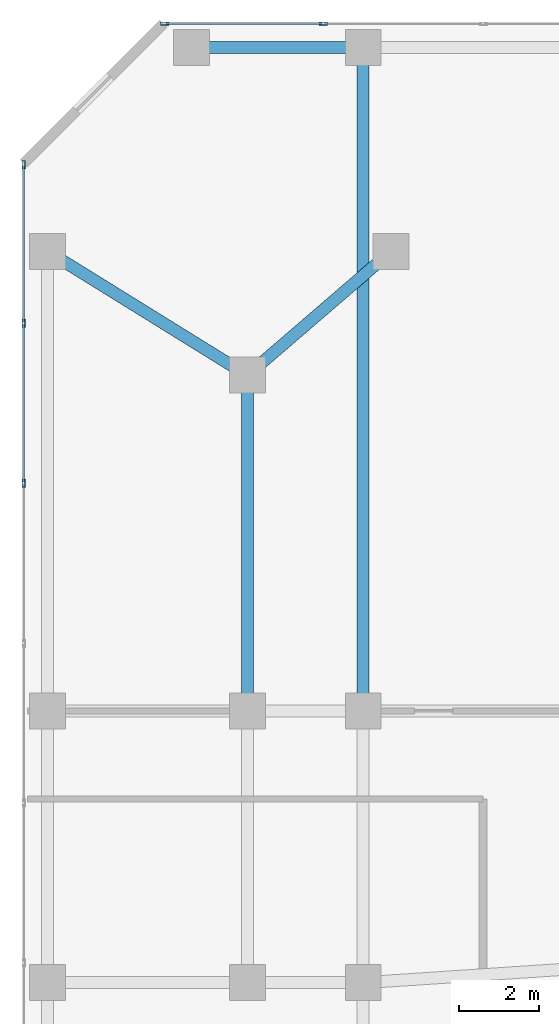
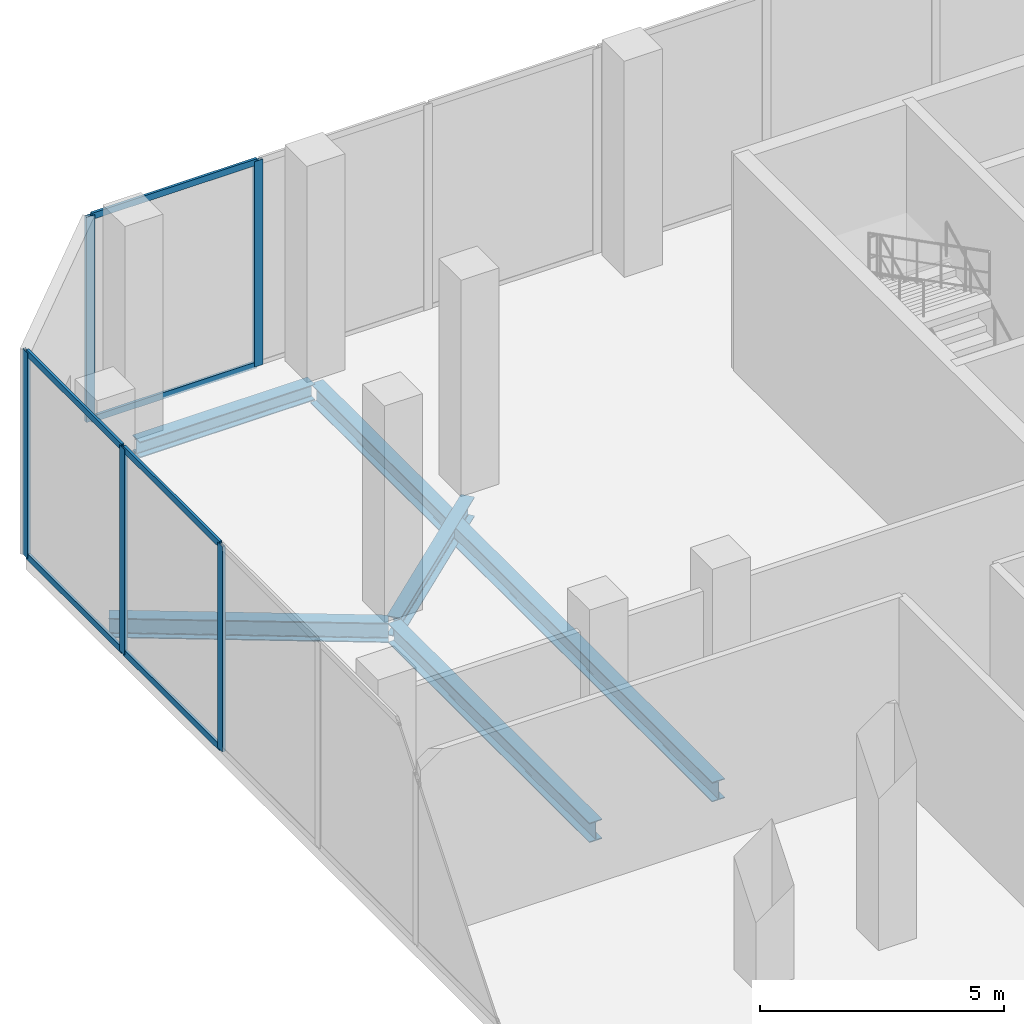
# One storey, part 13 of 24: 11 members, 5 beams, 2 elements without a shape of their own.
"""IFC4 building model written with IfcOpenShell, lengths in metres."""

from ifc_helpers import new_model, si_unit, direction, frame, origin, origin_2d, place, context, subcontext, project, spatial, hollow_rectangle, i_section, extrude, material, layer, layer_set, material_profile, profile_set, type_object, element, aggregate, save


model = new_model("IFC4")

# Units and contexts
model_context = context("Model", 3, precision=1e-05, world=origin(), true_north=direction((0.0, 1.0)))
body_context = subcontext(model_context, "Body", "Model", "MODEL_VIEW")
ifc_project = project(units=[si_unit("LENGTHUNIT", "METRE"), si_unit("AREAUNIT", "SQUARE_METRE"), si_unit("VOLUMEUNIT", "CUBIC_METRE"), si_unit("PLANEANGLEUNIT", "RADIAN"), si_unit("MASSUNIT", "GRAM", prefix="KILO")], contexts=[model_context])

# Site, building, storey
site_placement = place(None, origin())
site = spatial("IfcSite", under=ifc_project, at=site_placement, CompositionType="ELEMENT")
building_placement = place(site_placement, origin())
building = spatial("IfcBuilding", under=site, at=building_placement, Name="Catumbela Crestline Tower", CompositionType="ELEMENT")
storey_placement = place(building_placement, frame((0.0, 0.0, 84.6)))
storey = spatial("IfcBuildingStorey", under=building, at=storey_placement, Name="L21", CompositionType="ELEMENT", Elevation=84.6)

# Beams
ifc_material_1 = material(Name="Structural steel S355J2", Category="steel")
ifc_material_profile_1 = material_profile(ifc_material_1, i_section(OverallWidth=0.3, OverallDepth=0.49, WebThickness=0.012, FlangeThickness=0.023, FilletRadius=0.027, at=origin_2d()), Name="HEA 500")
ifc_profile_set_1 = profile_set([ifc_material_profile_1], Name="Structural steel S355J2")
beam_type_1 = type_object("IfcBeamType", Name="BG-HEA500", PredefinedType="BEAM", material=ifc_profile_set_1)
beam_1_placement = place(storey_placement, frame((0.668, 42.2578, -0.595), z_axis=(0.849908952007, -0.526929571479, 0.0), x_axis=(0.526929571479, 0.849908952007, 0.0)))
element("IfcBeam", 1, at=beam_1_placement, inside=storey, type_object=beam_type_1, Name="L21 Beam BM-L21-N12", PredefinedType="BEAM", context=body_context, shape_type="SweptSolid", body=[
    extrude(i_section(OverallWidth=0.3, OverallDepth=0.49, WebThickness=0.012, FlangeThickness=0.023, FilletRadius=0.027, at=origin_2d()), origin(), (0.0, 0.0, 1.0), 5.723),
])
beam_2_placement = place(storey_placement, frame((5.6606, 39.2522, -0.595), z_axis=(0.757772392559, 0.652518966066, 0.0), x_axis=(-0.652518966066, 0.757772392559, 0.0)))
element("IfcBeam", 2, at=beam_2_placement, inside=storey, type_object=beam_type_1, Name="L21 Beam BM-L21-N13", PredefinedType="BEAM", context=body_context, shape_type="SweptSolid", body=[
    extrude(i_section(OverallWidth=0.3, OverallDepth=0.49, WebThickness=0.012, FlangeThickness=0.023, FilletRadius=0.027, at=origin_2d()), origin(), (0.0, 0.0, 1.0), 4.5908),
])
beam_3_placement = place(storey_placement, frame((5.6, 30.88, -0.595), z_axis=(0.0, 1.0, 0.0), x_axis=(-1.0, 0.0, 0.0)))
element("IfcBeam", 3, at=beam_3_placement, inside=storey, type_object=beam_type_1, Name="L21 Beam BM-L21-SN25", PredefinedType="BEAM", context=body_context, shape_type="SweptSolid", body=[
    extrude(i_section(OverallWidth=0.3, OverallDepth=0.49, WebThickness=0.012, FlangeThickness=0.023, FilletRadius=0.027, at=origin_2d()), origin(), (0.0, 0.0, 1.0), 8.24),
])
beam_4_placement = place(storey_placement, frame((8.5, 30.88, -0.595), z_axis=(0.0, 1.0, 0.0), x_axis=(-1.0, 0.0, 0.0)))
element("IfcBeam", 4, at=beam_4_placement, inside=storey, type_object=beam_type_1, Name="L21 Beam BM-L21-SN27", PredefinedType="BEAM", context=body_context, shape_type="SweptSolid", body=[
    extrude(i_section(OverallWidth=0.3, OverallDepth=0.49, WebThickness=0.012, FlangeThickness=0.023, FilletRadius=0.027, at=origin_2d()), origin(), (0.0, 0.0, 1.0), 16.44),
])

# Curtain wall, members
ifc_material_2 = material(Name="Aluminium alloy AW-6060-T66", Category="aluminium")
ifc_layer = layer(ifc_material_2, 0.18, Name="Aluminium alloy AW-6060-T66")
ifc_layer_set = layer_set([ifc_layer], Name="Aluminium alloy AW-6060-T66")
curtain_wall_type = type_object("IfcCurtainWallType", Name="CWU-SKY", PredefinedType="USERDEFINED", material=ifc_layer_set)
curtain_wall_1_placement = place(storey_placement, origin())
curtain_wall_1 = element("IfcCurtainWall", 5, at=curtain_wall_1_placement, inside=storey, type_object=curtain_wall_type, Name="L21 Unitised Curtain Wall CW-L21-E7S1", ObjectType="UNITISED", PredefinedType="USERDEFINED")
ifc_material_profile_2 = material_profile(ifc_material_2, hollow_rectangle(XDim=0.075, YDim=0.2, WallThickness=0.005, at=origin_2d()), Name="ALU 200x75x5")
ifc_profile_set_2 = profile_set([ifc_material_profile_2], Name="Aluminium alloy AW-6060-T66")
member_type_1 = type_object("IfcMemberType", Name="MUL-200X75", PredefinedType="MULLION", material=ifc_profile_set_2)
member_1_placement = place(storey_placement, frame((7.5, 48.0, 0.0), z_axis=(0.0, 0.0, 1.0), x_axis=(0.0, -1.0, 0.0)))
member_1 = element("IfcMember", 6, at=member_1_placement, type_object=member_type_1, Name="CWU-SKY mullion 11", PredefinedType="MULLION", context=body_context, shape_type="SweptSolid", body=[
    extrude(hollow_rectangle(XDim=0.075, YDim=0.2, WallThickness=0.005, at=origin_2d()), origin(), (0.0, 0.0, 1.0), 5.13),
])
member_2_placement = place(storey_placement, frame((3.5325, 48.0, 0.0), z_axis=(0.0, 0.0, 1.0), x_axis=(0.0, -1.0, 0.0)))
member_2 = element("IfcMember", 7, at=member_2_placement, type_object=member_type_1, Name="CWU-SKY mullion 12", PredefinedType="MULLION", context=body_context, shape_type="SweptSolid", body=[
    extrude(hollow_rectangle(XDim=0.075, YDim=0.2, WallThickness=0.005, at=origin_2d()), origin(), (0.0, 0.0, 1.0), 5.13),
])

curtain_wall_2_placement = place(storey_placement, origin())
curtain_wall_2 = element("IfcCurtainWall", 8, at=curtain_wall_2_placement, inside=storey, type_object=curtain_wall_type, Name="L21 Unitised Curtain Wall CW-L21-E9S1", ObjectType="UNITISED", PredefinedType="USERDEFINED")
member_3_placement = place(storey_placement, frame((0.0, 44.4675, 0.0), z_axis=(0.0, 0.0, 1.0), x_axis=(1.0, 0.0, 0.0)))
member_3 = element("IfcMember", 9, at=member_3_placement, type_object=member_type_1, Name="CWU-SKY mullion 1", PredefinedType="MULLION", context=body_context, shape_type="SweptSolid", body=[
    extrude(hollow_rectangle(XDim=0.075, YDim=0.2, WallThickness=0.005, at=origin_2d()), origin(), (0.0, 0.0, 1.0), 5.13),
])
member_4_placement = place(storey_placement, frame((0.0, 40.5, 0.0), z_axis=(0.0, 0.0, 1.0), x_axis=(1.0, 0.0, 0.0)))
member_4 = element("IfcMember", 10, at=member_4_placement, type_object=member_type_1, Name="CWU-SKY mullion 2", PredefinedType="MULLION", context=body_context, shape_type="SweptSolid", body=[
    extrude(hollow_rectangle(XDim=0.075, YDim=0.2, WallThickness=0.005, at=origin_2d()), origin(), (0.0, 0.0, 1.0), 5.13),
])
member_5_placement = place(storey_placement, frame((0.0, 36.5, 0.0), z_axis=(0.0, 0.0, 1.0), x_axis=(1.0, 0.0, 0.0)))
member_5 = element("IfcMember", 11, at=member_5_placement, type_object=member_type_1, Name="CWU-SKY mullion 3", PredefinedType="MULLION", context=body_context, shape_type="SweptSolid", body=[
    extrude(hollow_rectangle(XDim=0.075, YDim=0.2, WallThickness=0.005, at=origin_2d()), origin(), (0.0, 0.0, 1.0), 5.13),
])

# Beam
ifc_material_profile_3 = material_profile(ifc_material_1, i_section(OverallWidth=0.3, OverallDepth=0.4, WebThickness=0.0135, FlangeThickness=0.024, FilletRadius=0.027, at=origin_2d()), Name="HEB 400")
ifc_profile_set_3 = profile_set([ifc_material_profile_3], Name="Structural steel S355J2")
beam_type_2 = type_object("IfcBeamType", Name="BS-HEB400", PredefinedType="SPANDREL", material=ifc_profile_set_3)
beam_5_placement = place(storey_placement, frame((4.28, 47.4, -0.55), z_axis=(1.0, 0.0, 0.0), x_axis=(0.0, 1.0, 0.0)))
element("IfcBeam", 12, at=beam_5_placement, inside=storey, type_object=beam_type_2, Name="L21 Spandrel SP-L21-NF17", PredefinedType="SPANDREL", context=body_context, shape_type="SweptSolid", body=[
    extrude(i_section(OverallWidth=0.3, OverallDepth=0.4, WebThickness=0.0135, FlangeThickness=0.024, FilletRadius=0.027, at=origin_2d()), origin(), (0.0, 0.0, 1.0), 4.14),
])

# Member
ifc_material_profile_4 = material_profile(ifc_material_2, hollow_rectangle(XDim=0.06, YDim=0.16, WallThickness=0.004, at=origin_2d()), Name="ALU 160x60x4")
ifc_profile_set_4 = profile_set([ifc_material_profile_4], Name="Aluminium alloy AW-6060-T66")
member_type_2 = type_object("IfcMemberType", Name="TRN-160X60", PredefinedType="USERDEFINED", material=ifc_profile_set_4)
member_6_placement = place(storey_placement, frame((7.4675, 48.0, 0.03), z_axis=(-1.0, 0.0, 0.0), x_axis=(0.0, -1.0, 0.0)))
member_6 = element("IfcMember", 13, at=member_6_placement, type_object=member_type_2, Name="CWU-SKY transom 11.1", ObjectType="TRANSOM", PredefinedType="USERDEFINED", context=body_context, shape_type="SweptSolid", body=[
    extrude(hollow_rectangle(XDim=0.06, YDim=0.16, WallThickness=0.004, at=origin_2d()), origin(), (0.0, 0.0, 1.0), 3.9025),
])

member_7_placement = place(storey_placement, frame((7.4675, 48.0, 5.1), z_axis=(-1.0, 0.0, 0.0), x_axis=(0.0, -1.0, 0.0)))
member_7 = element("IfcMember", 14, at=member_7_placement, type_object=member_type_2, Name="CWU-SKY transom 11.2", ObjectType="TRANSOM", PredefinedType="USERDEFINED", context=body_context, shape_type="SweptSolid", body=[
    extrude(hollow_rectangle(XDim=0.06, YDim=0.16, WallThickness=0.004, at=origin_2d()), origin(), (0.0, 0.0, 1.0), 3.9025),
])

aggregate(curtain_wall_1, [member_1, member_2, member_6, member_7])

member_8_placement = place(storey_placement, frame((0.0, 44.435, 0.03), z_axis=(0.0, -1.0, 0.0), x_axis=(1.0, 0.0, 0.0)))
member_8 = element("IfcMember", 15, at=member_8_placement, type_object=member_type_2, Name="CWU-SKY transom 1.1", ObjectType="TRANSOM", PredefinedType="USERDEFINED", context=body_context, shape_type="SweptSolid", body=[
    extrude(hollow_rectangle(XDim=0.06, YDim=0.16, WallThickness=0.004, at=origin_2d()), origin(), (0.0, 0.0, 1.0), 3.9025),
])

member_9_placement = place(storey_placement, frame((0.0, 44.435, 5.1), z_axis=(0.0, -1.0, 0.0), x_axis=(1.0, 0.0, 0.0)))
member_9 = element("IfcMember", 16, at=member_9_placement, type_object=member_type_2, Name="CWU-SKY transom 1.2", ObjectType="TRANSOM", PredefinedType="USERDEFINED", context=body_context, shape_type="SweptSolid", body=[
    extrude(hollow_rectangle(XDim=0.06, YDim=0.16, WallThickness=0.004, at=origin_2d()), origin(), (0.0, 0.0, 1.0), 3.9025),
])

member_10_placement = place(storey_placement, frame((0.0, 40.4675, 0.03), z_axis=(0.0, -1.0, 0.0), x_axis=(1.0, 0.0, 0.0)))
member_10 = element("IfcMember", 17, at=member_10_placement, type_object=member_type_2, Name="CWU-SKY transom 2.1", ObjectType="TRANSOM", PredefinedType="USERDEFINED", context=body_context, shape_type="SweptSolid", body=[
    extrude(hollow_rectangle(XDim=0.06, YDim=0.16, WallThickness=0.004, at=origin_2d()), origin(), (0.0, 0.0, 1.0), 3.935),
])

member_11_placement = place(storey_placement, frame((0.0, 40.4675, 5.1), z_axis=(0.0, -1.0, 0.0), x_axis=(1.0, 0.0, 0.0)))
member_11 = element("IfcMember", 18, at=member_11_placement, type_object=member_type_2, Name="CWU-SKY transom 2.2", ObjectType="TRANSOM", PredefinedType="USERDEFINED", context=body_context, shape_type="SweptSolid", body=[
    extrude(hollow_rectangle(XDim=0.06, YDim=0.16, WallThickness=0.004, at=origin_2d()), origin(), (0.0, 0.0, 1.0), 3.935),
])

aggregate(curtain_wall_2, [member_3, member_4, member_5, member_8, member_9, member_10, member_11])

save(model, "model.ifc")
